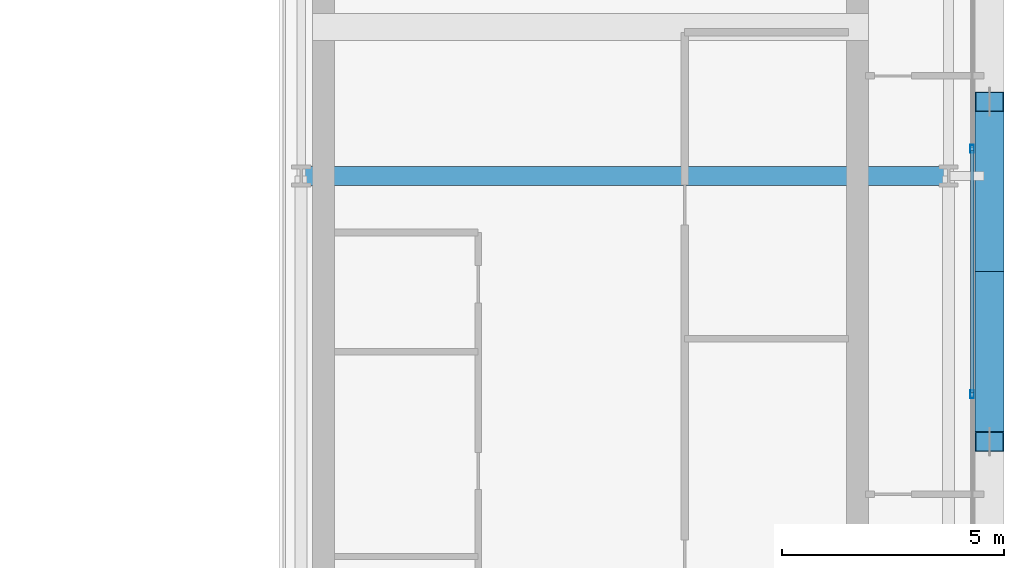
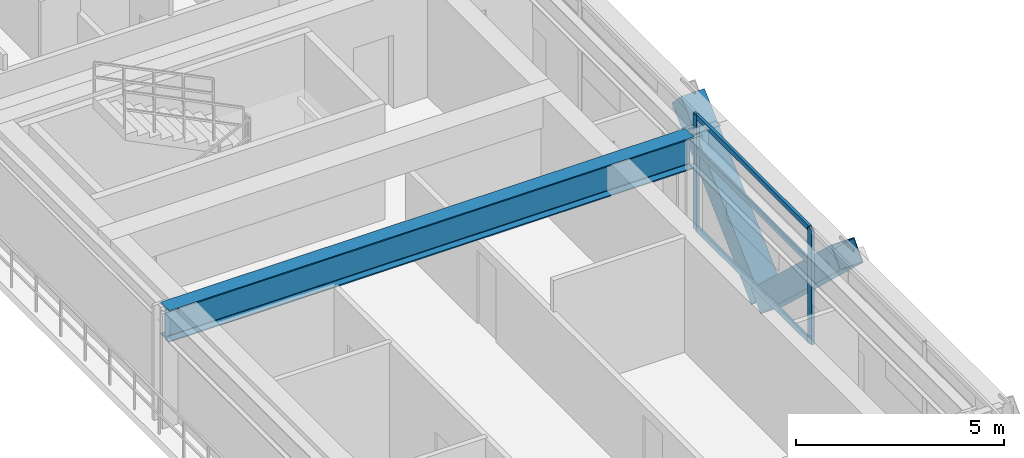
# One storey, part 13 of 32: 7 members, 1 beam, 1 element without a shape of its own.
"""IFC4 building model written with IfcOpenShell, lengths in metres."""

from ifc_helpers import new_model, si_unit, direction, frame, origin, origin_2d, place, context, subcontext, project, spatial, hollow_rectangle, i_section, extrude, source, transform, mapped, material, layer, layer_set, material_profile, profile_set, type_object, element, aggregate, save


model = new_model("IFC4")

# Units and contexts
model_context = context("Model", 3, precision=1e-05, world=origin(), true_north=direction((0.0, 1.0)))
body_context = subcontext(model_context, "Body", "Model", "MODEL_VIEW")
ifc_project = project(units=[si_unit("LENGTHUNIT", "METRE"), si_unit("AREAUNIT", "SQUARE_METRE"), si_unit("VOLUMEUNIT", "CUBIC_METRE"), si_unit("PLANEANGLEUNIT", "RADIAN"), si_unit("MASSUNIT", "GRAM", prefix="KILO")], contexts=[model_context])

# Site, building, storey
site_placement = place(None, origin())
site = spatial("IfcSite", under=ifc_project, at=site_placement, CompositionType="ELEMENT")
building_placement = place(site_placement, origin())
building = spatial("IfcBuilding", under=site, at=building_placement, Name="Ocotamira Hotel", CompositionType="ELEMENT")
storey_placement = place(building_placement, frame((0.0, 0.0, 177.60009765625)))
storey = spatial("IfcBuildingStorey", under=building, at=storey_placement, Name="L44", CompositionType="ELEMENT", Elevation=177.60009765625)

# Beam
ifc_material_1 = material(Name="Steel ASTM A992 Grade 50", Category="steel")
ifc_material_profile_1 = material_profile(ifc_material_1, i_section(OverallWidth=0.41796875, OverallDepth=0.927001953125, WebThickness=0.019287109375, FlangeThickness=0.031982421875, FilletRadius=0.02392578125, at=origin_2d()), Name="W36X231")
ifc_profile_set_1 = profile_set([ifc_material_profile_1], Name="Steel ASTM A992 Grade 50")
beam_type = type_object("IfcBeamType", Name="BM-GIRD-W36X231", PredefinedType="BEAM", material=ifc_profile_set_1)
shared_shape_1 = source(origin(), body_context, "Body", "SweptSolid", [
    extrude(i_section(OverallWidth=0.41796875, OverallDepth=0.927001953125, WebThickness=0.019287109375, FlangeThickness=0.031982421875, FilletRadius=0.02392578125, at=origin_2d()), origin(), (0.0, 0.0, 1.0), 14.550048828125),
])
beam_placement = place(storey_placement, frame((40.5, 28.14990234375, 2.906494140625), z_axis=(1.0, 0.0, 0.0), x_axis=(0.0, 1.0, 0.0)))
element("IfcBeam", 1, at=beam_placement, inside=storey, type_object=beam_type, Name="L44 Girder Y28.15 X40.5-55.05", PredefinedType="BEAM", context=body_context, shape_type="MappedRepresentation", body=[
    mapped(shared_shape_1, transform((0.0, 0.0, 0.0), scale=1.0)),
])

# Members
ifc_material_2 = material(Name="Pale-metal coated steel ASTM A913 Grade 65", Category="steel")
ifc_material_profile_2 = material_profile(ifc_material_2, hollow_rectangle(XDim=0.64990234375, YDim=0.64990234375, WallThickness=0.02197265625, at=origin_2d()), Name="BOX650X650X22")
ifc_profile_set_2 = profile_set([ifc_material_profile_2], Name="Pale-metal coated steel ASTM A913 Grade 65")
member_type_1 = type_object("IfcMemberType", Name="MEM-EXO-BOX650", PredefinedType="BRACE", material=ifc_profile_set_2)
shared_shape_2 = source(origin(), body_context, "Body", "SweptSolid", [
    extrude(hollow_rectangle(XDim=0.64990234375, YDim=0.64990234375, WallThickness=0.02197265625, at=origin_2d()), origin(), (0.0, 0.0, 1.0), 5.24658203125),
])
for number, where, z_axis, x_axis, name in (
    (2, (55.969970703125, 26.0, -0.47998046875), (0.0, -0.72746596067, 0.686143772154), (1.0, 0.0, 0.0), "L44 Exoskeleton Diagrid E1.1"),
    (3, (55.969970703125, 26.0, -0.47998046875), (0.0, 0.72746596067, 0.686143772154), (-1.0, 0.0, 0.0), "L44 Exoskeleton Diagrid E1.2"),
):
    element("IfcMember", number, at=place(storey_placement, frame(where, z_axis=z_axis, x_axis=x_axis)), inside=storey, type_object=member_type_1, Name=name, PredefinedType="BRACE", context=body_context, shape_type="MappedRepresentation", body=[
        mapped(shared_shape_2, transform((0.0, 0.0, 0.0), scale=1.0)),
    ])

# Curtain wall, members
ifc_material_3 = material(Name="Anodised pale-metal aluminium and solar glass", Category="aluminium")
ifc_layer = layer(ifc_material_3, 0.199951171875)
ifc_layer_set = layer_set([ifc_layer], Name="Anodised pale-metal aluminium and solar glass")
curtain_wall_type = type_object("IfcCurtainWallType", Name="CW-SYS4-Z3", PredefinedType="NOTDEFINED", material=ifc_layer_set)
curtain_wall_placement = place(storey_placement, origin())
curtain_wall = element("IfcCurtainWall", 4, at=curtain_wall_placement, inside=storey, type_object=curtain_wall_type, Name="L44 Curtain Wall CW-4 CW-L44-E", PredefinedType="NOTDEFINED")
ifc_material_4 = material(Name="Anodised pale-metal aluminium 6063-T6", Category="aluminium")
ifc_material_profile_3 = material_profile(ifc_material_4, hollow_rectangle(XDim=0.074951171875, YDim=0.14990234375, WallThickness=0.006103515625, at=origin_2d()), Name="HSS150X75X6")
ifc_profile_set_3 = profile_set([ifc_material_profile_3], Name="Anodised pale-metal aluminium 6063-T6")
member_type_2 = type_object("IfcMemberType", Name="CWT-150X75", PredefinedType="USERDEFINED", material=ifc_profile_set_3)
shared_shape_3 = source(origin(), body_context, "Body", "SweptSolid", [
    extrude(hollow_rectangle(XDim=0.074951171875, YDim=0.14990234375, WallThickness=0.006103515625, at=origin_2d()), origin(), (0.0, 0.0, 1.0), 5.43994140625),
])
member_1_placement = place(storey_placement, frame((55.580078125, 23.280029296875, 0.037353515625), z_axis=(0.0, 1.0, 0.0), x_axis=(-1.0, 0.0, 0.0)))
member_1 = element("IfcMember", 5, at=member_1_placement, type_object=member_type_2, Name="CW-4 transom 3.1", ObjectType="TRANSOM", PredefinedType="USERDEFINED", context=body_context, shape_type="MappedRepresentation", body=[
    mapped(shared_shape_3, transform((0.0, 0.0, 0.0), scale=1.0)),
])
member_2_placement = place(storey_placement, frame((55.580078125, 23.280029296875, 2.349853515625), z_axis=(0.0, 1.0, 0.0), x_axis=(-1.0, 0.0, 0.0)))
member_2 = element("IfcMember", 6, at=member_2_placement, type_object=member_type_2, Name="CW-4 transom 3.2", ObjectType="TRANSOM", PredefinedType="USERDEFINED", context=body_context, shape_type="MappedRepresentation", body=[
    mapped(shared_shape_3, transform((0.0, 0.0, 0.0), scale=1.0)),
])
member_3_placement = place(storey_placement, frame((55.580078125, 23.280029296875, 3.33251953125), z_axis=(0.0, 1.0, 0.0), x_axis=(-1.0, 0.0, 0.0)))
member_3 = element("IfcMember", 7, at=member_3_placement, type_object=member_type_2, Name="CW-4 transom 3.3", ObjectType="TRANSOM", PredefinedType="USERDEFINED", context=body_context, shape_type="MappedRepresentation", body=[
    mapped(shared_shape_3, transform((0.0, 0.0, 0.0), scale=1.0)),
])
ifc_material_profile_4 = material_profile(ifc_material_4, hollow_rectangle(XDim=0.080078125, YDim=0.179931640625, WallThickness=0.006103515625, at=origin_2d()), Name="HSS180X80X6")
ifc_profile_set_4 = profile_set([ifc_material_profile_4], Name="Anodised pale-metal aluminium 6063-T6")
member_type_3 = type_object("IfcMemberType", Name="CWM-180X75", PredefinedType="MULLION", material=ifc_profile_set_4)
shared_shape_4 = source(origin(), body_context, "Body", "SweptSolid", [
    extrude(hollow_rectangle(XDim=0.080078125, YDim=0.179931640625, WallThickness=0.006103515625, at=origin_2d()), origin(), (0.0, 0.0, 1.0), 3.369873046875),
])
member_4_placement = place(storey_placement, frame((55.580078125, 23.239990234375, 0.0), z_axis=(0.0, 0.0, 1.0), x_axis=(-1.0, 0.0, 0.0)))
member_4 = element("IfcMember", 8, at=member_4_placement, type_object=member_type_3, Name="CW-4 mullion 3", PredefinedType="MULLION", context=body_context, shape_type="MappedRepresentation", body=[
    mapped(shared_shape_4, transform((0.0, 0.0, 0.0), scale=1.0)),
])
member_5_placement = place(storey_placement, frame((55.580078125, 28.760009765625, 0.0), z_axis=(0.0, 0.0, 1.0), x_axis=(-1.0, 0.0, 0.0)))
member_5 = element("IfcMember", 9, at=member_5_placement, type_object=member_type_3, Name="CW-4 mullion 4", PredefinedType="MULLION", context=body_context, shape_type="MappedRepresentation", body=[
    mapped(shared_shape_4, transform((0.0, 0.0, 0.0), scale=1.0)),
])
aggregate(curtain_wall, [member_4, member_5, member_1, member_2, member_3])

save(model, "model.ifc")
